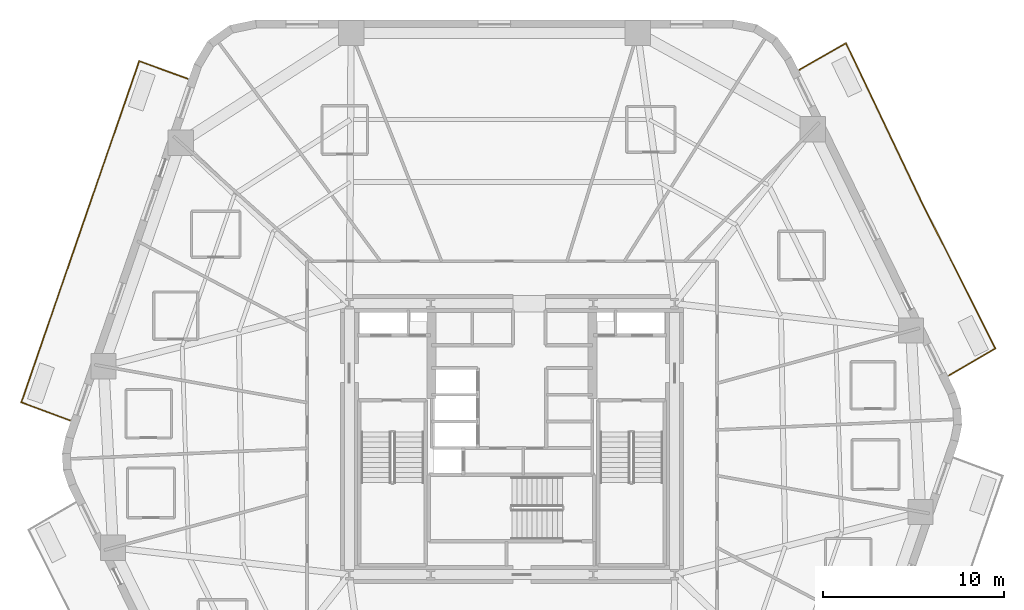
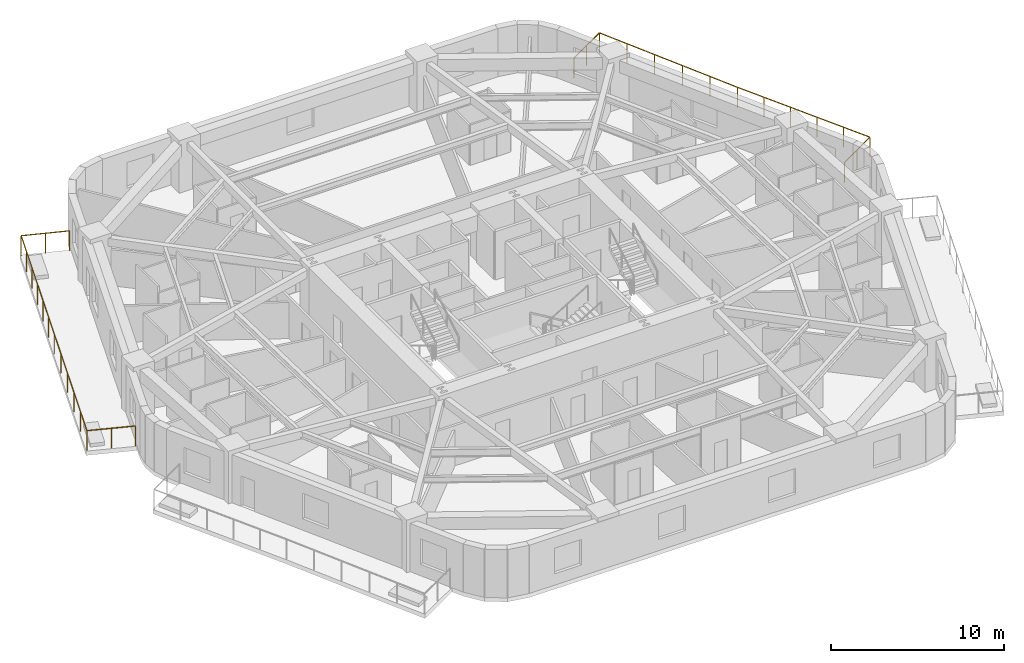
# One storey, part 10 of 10: 2 railings.
"""IFC4 building model written with IfcOpenShell, lengths in metres."""

from ifc_helpers import new_model, si_unit, direction, frame, origin, origin_2d, place, context, subcontext, project, spatial, rectangle, extrude, material, layer, layer_set, type_object, element, save


model = new_model("IFC4")

# Units and contexts
model_context = context("Model", 3, precision=1e-05, world=origin(), true_north=direction((0.0, 1.0)))
body_context = subcontext(model_context, "Body", "Model", "MODEL_VIEW")
ifc_project = project(units=[si_unit("LENGTHUNIT", "METRE"), si_unit("AREAUNIT", "SQUARE_METRE"), si_unit("VOLUMEUNIT", "CUBIC_METRE"), si_unit("PLANEANGLEUNIT", "RADIAN"), si_unit("MASSUNIT", "GRAM", prefix="KILO")], contexts=[model_context])

# Site, building, storey
site_placement = place(None, origin())
site = spatial("IfcSite", under=ifc_project, at=site_placement, CompositionType="ELEMENT")
building_placement = place(site_placement, origin())
building = spatial("IfcBuilding", under=site, at=building_placement, Name="Kilnhurst Terrace Hotel", CompositionType="ELEMENT")
storey_placement = place(building_placement, frame((0.0, 0.0, 52.699951171875)))
storey = spatial("IfcBuildingStorey", under=building, at=storey_placement, Name="L11", CompositionType="ELEMENT", Elevation=52.699951171875)

# Railings
ifc_material = material(Name="Laminated SentryGlas and Stainless Steel AISI 316L Balustrade", Category="steel")
ifc_layer = layer(ifc_material, 0.070068359375, Name="Laminated SentryGlas and Stainless Steel AISI 316L Balustrade")
ifc_layer_set = layer_set([ifc_layer], Name="Laminated SentryGlas and Stainless Steel AISI 316L Balustrade")
railing_type = type_object("IfcRailingType", Name="RLG-BAL-1420", PredefinedType="BALUSTRADE", material=ifc_layer_set)
railing_1_placement = place(storey_placement, frame((15.923095703125, 20.44873046875, 0.0)))
element("IfcRailing", 1, at=railing_1_placement, inside=storey, type_object=railing_type, Name="L11 Exterior Terrace Guardrail BAL-L1B.1", PredefinedType="BALUSTRADE", context=body_context, shape_type="SweptSolid", body=[
    extrude(rectangle(XDim=0.048095703125, YDim=0.048095703125, at=origin_2d()), frame((0.0, 0.0, 1.39599609375), z_axis=(0.86763656582, 0.497198943736, 0.0), x_axis=(-0.497198943736, 0.86763656582, 0.0)), (0.0, 0.0, 1.0), 2.95068359375),
    extrude(rectangle(XDim=0.048095703125, YDim=0.048095703125, at=origin_2d()), frame((2.56005859375, 1.467041015625, 1.39599609375), z_axis=(0.430147205624, -0.902758761516, 0.0), x_axis=(0.902758761516, 0.430147205624, 0.0)), (0.0, 0.0, 1.0), 9.67041015625),
    extrude(rectangle(XDim=0.048095703125, YDim=0.048095703125, at=origin_2d()), frame((6.7197265625, -7.262939453125, 1.39599609375), z_axis=(0.514495755428, -0.857492925713, 0.0), x_axis=(0.857492925713, 0.514495755428, 0.0)), (0.0, 0.0, 1.0), 0.00146484375),
    extrude(rectangle(XDim=0.048095703125, YDim=0.048095703125, at=origin_2d()), frame((6.720458984375, -7.26416015625, 1.39599609375), z_axis=(0.449648824937, -0.89320542667, 0.0), x_axis=(0.89320542667, 0.449648824937, 0.0)), (0.0, 0.0, 1.0), 9.136962890625),
    extrude(rectangle(XDim=0.048095703125, YDim=0.048095703125, at=origin_2d()), frame((10.828857421875, -15.42529296875, 1.39599609375), z_axis=(-0.863737120301, -0.503942642584, 0.0), x_axis=(0.503942642584, -0.863737120301, 0.0)), (0.0, 0.0, 1.0), 2.96728515625),
    extrude(rectangle(XDim=0.0419921875, YDim=0.0419921875, at=origin_2d()), origin(), (0.0, 0.0, 1.0), 1.371826171875),
    extrude(rectangle(XDim=0.0419921875, YDim=0.0419921875, at=origin_2d()), frame((1.280029296875, 0.7333984375, 0.0)), (0.0, 0.0, 1.0), 1.371826171875),
    extrude(rectangle(XDim=0.0419921875, YDim=0.0419921875, at=origin_2d()), frame((2.56005859375, 1.467041015625, 0.0)), (0.0, 0.0, 1.0), 1.371826171875),
    extrude(rectangle(XDim=0.0419921875, YDim=0.0419921875, at=origin_2d()), frame((3.39208984375, -0.279052734375, 0.0)), (0.0, 0.0, 1.0), 1.371826171875),
    extrude(rectangle(XDim=0.0419921875, YDim=0.0419921875, at=origin_2d()), frame((4.223876953125, -2.02490234375, 0.0)), (0.0, 0.0, 1.0), 1.371826171875),
    extrude(rectangle(XDim=0.0419921875, YDim=0.0419921875, at=origin_2d()), frame((5.055908203125, -3.77099609375, 0.0)), (0.0, 0.0, 1.0), 1.371826171875),
    extrude(rectangle(XDim=0.0419921875, YDim=0.0419921875, at=origin_2d()), frame((5.8876953125, -5.516845703125, 0.0)), (0.0, 0.0, 1.0), 1.371826171875),
    extrude(rectangle(XDim=0.0419921875, YDim=0.0419921875, at=origin_2d()), frame((6.7197265625, -7.262939453125, 0.0)), (0.0, 0.0, 1.0), 1.371826171875),
    extrude(rectangle(XDim=0.0419921875, YDim=0.0419921875, at=origin_2d()), frame((6.720458984375, -7.26416015625, 0.0)), (0.0, 0.0, 1.0), 1.371826171875),
    extrude(rectangle(XDim=0.0419921875, YDim=0.0419921875, at=origin_2d()), frame((7.542236328125, -8.896484375, 0.0)), (0.0, 0.0, 1.0), 1.371826171875),
    extrude(rectangle(XDim=0.0419921875, YDim=0.0419921875, at=origin_2d()), frame((8.36376953125, -10.528564453125, 0.0)), (0.0, 0.0, 1.0), 1.371826171875),
    extrude(rectangle(XDim=0.0419921875, YDim=0.0419921875, at=origin_2d()), frame((9.185546875, -12.160888671875, 0.0)), (0.0, 0.0, 1.0), 1.371826171875),
    extrude(rectangle(XDim=0.0419921875, YDim=0.0419921875, at=origin_2d()), frame((10.007080078125, -13.79296875, 0.0)), (0.0, 0.0, 1.0), 1.371826171875),
    extrude(rectangle(XDim=0.0419921875, YDim=0.0419921875, at=origin_2d()), frame((10.828857421875, -15.42529296875, 0.0)), (0.0, 0.0, 1.0), 1.371826171875),
    extrude(rectangle(XDim=0.0419921875, YDim=0.0419921875, at=origin_2d()), frame((9.54736328125, -16.1728515625, 0.0)), (0.0, 0.0, 1.0), 1.371826171875),
    extrude(rectangle(XDim=0.0419921875, YDim=0.0419921875, at=origin_2d()), frame((8.265869140625, -16.920654296875, 0.0)), (0.0, 0.0, 1.0), 1.371826171875),
])
railing_2_placement = place(storey_placement, frame((-24.485107421875, 1.041748046875, 0.0)))
element("IfcRailing", 2, at=railing_2_placement, inside=storey, type_object=railing_type, Name="L11 Exterior Terrace Guardrail BAL-L2A.1", PredefinedType="BALUSTRADE", context=body_context, shape_type="SweptSolid", body=[
    extrude(rectangle(XDim=0.048095703125, YDim=0.048095703125, at=origin_2d()), frame((0.0, 0.0, 1.39599609375), z_axis=(-0.937279097592, 0.348579823308, 0.0), x_axis=(-0.348579823308, -0.937279097592, 0.0)), (0.0, 0.0, 1.0), 2.85205078125),
    extrude(rectangle(XDim=0.048095703125, YDim=0.048095703125, at=origin_2d()), frame((-2.673095703125, 0.994140625, 1.39599609375), z_axis=(0.326159116329, 0.945314884488, 0.0), x_axis=(-0.945314884488, 0.326159116329, 0.0)), (0.0, 0.0, 1.0), 9.91650390625),
    extrude(rectangle(XDim=0.048095703125, YDim=0.048095703125, at=origin_2d()), frame((0.561279296875, 10.368408203125, 1.39599609375), z_axis=(0.326903959129, 0.945057565181, 0.0), x_axis=(-0.945057565181, 0.326903959129, 0.0)), (0.0, 0.0, 1.0), 10.065673828125),
    extrude(rectangle(XDim=0.048095703125, YDim=0.048095703125, at=origin_2d()), frame((3.851806640625, 19.881103515625, 1.39599609375), z_axis=(0.939926315563, -0.341377388402, 0.0), x_axis=(0.341377388402, 0.939926315563, 0.0)), (0.0, 0.0, 1.0), 2.84130859375),
    extrude(rectangle(XDim=0.0419921875, YDim=0.0419921875, at=origin_2d()), origin(), (0.0, 0.0, 1.0), 1.371826171875),
    extrude(rectangle(XDim=0.0419921875, YDim=0.0419921875, at=origin_2d()), frame((-1.33642578125, 0.4970703125, 0.0)), (0.0, 0.0, 1.0), 1.371826171875),
    extrude(rectangle(XDim=0.0419921875, YDim=0.0419921875, at=origin_2d()), frame((-2.673095703125, 0.994140625, 0.0)), (0.0, 0.0, 1.0), 1.371826171875),
    extrude(rectangle(XDim=0.0419921875, YDim=0.0419921875, at=origin_2d()), frame((-2.026123046875, 2.868896484375, 0.0)), (0.0, 0.0, 1.0), 1.371826171875),
    extrude(rectangle(XDim=0.0419921875, YDim=0.0419921875, at=origin_2d()), frame((-1.37939453125, 4.743896484375, 0.0)), (0.0, 0.0, 1.0), 1.371826171875),
    extrude(rectangle(XDim=0.0419921875, YDim=0.0419921875, at=origin_2d()), frame((-0.732421875, 6.61865234375, 0.0)), (0.0, 0.0, 1.0), 1.371826171875),
    extrude(rectangle(XDim=0.0419921875, YDim=0.0419921875, at=origin_2d()), frame((-0.085693359375, 8.49365234375, 0.0)), (0.0, 0.0, 1.0), 1.371826171875),
    extrude(rectangle(XDim=0.0419921875, YDim=0.0419921875, at=origin_2d()), frame((0.561279296875, 10.368408203125, 0.0)), (0.0, 0.0, 1.0), 1.371826171875),
    extrude(rectangle(XDim=0.0419921875, YDim=0.0419921875, at=origin_2d()), frame((1.109619140625, 11.953857421875, 0.0)), (0.0, 0.0, 1.0), 1.371826171875),
    extrude(rectangle(XDim=0.0419921875, YDim=0.0419921875, at=origin_2d()), frame((1.658203125, 13.539306640625, 0.0)), (0.0, 0.0, 1.0), 1.371826171875),
    extrude(rectangle(XDim=0.0419921875, YDim=0.0419921875, at=origin_2d()), frame((2.20654296875, 15.124755859375, 0.0)), (0.0, 0.0, 1.0), 1.371826171875),
    extrude(rectangle(XDim=0.0419921875, YDim=0.0419921875, at=origin_2d()), frame((2.7548828125, 16.710205078125, 0.0)), (0.0, 0.0, 1.0), 1.371826171875),
    extrude(rectangle(XDim=0.0419921875, YDim=0.0419921875, at=origin_2d()), frame((3.303466796875, 18.295654296875, 0.0)), (0.0, 0.0, 1.0), 1.371826171875),
    extrude(rectangle(XDim=0.0419921875, YDim=0.0419921875, at=origin_2d()), frame((3.851806640625, 19.881103515625, 0.0)), (0.0, 0.0, 1.0), 1.371826171875),
    extrude(rectangle(XDim=0.0419921875, YDim=0.0419921875, at=origin_2d()), frame((5.18701171875, 19.39599609375, 0.0)), (0.0, 0.0, 1.0), 1.371826171875),
    extrude(rectangle(XDim=0.0419921875, YDim=0.0419921875, at=origin_2d()), frame((6.5224609375, 18.9111328125, 0.0)), (0.0, 0.0, 1.0), 1.371826171875),
])

save(model, "model.ifc")
